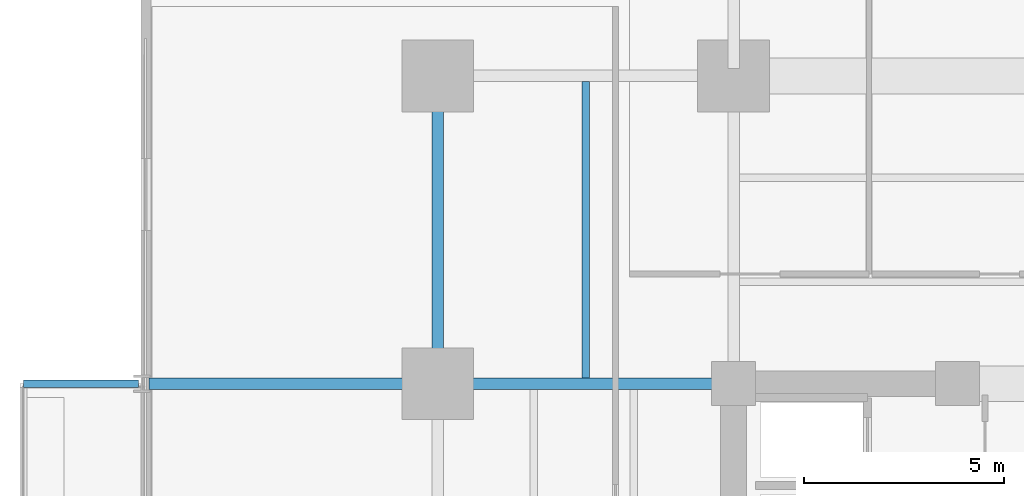
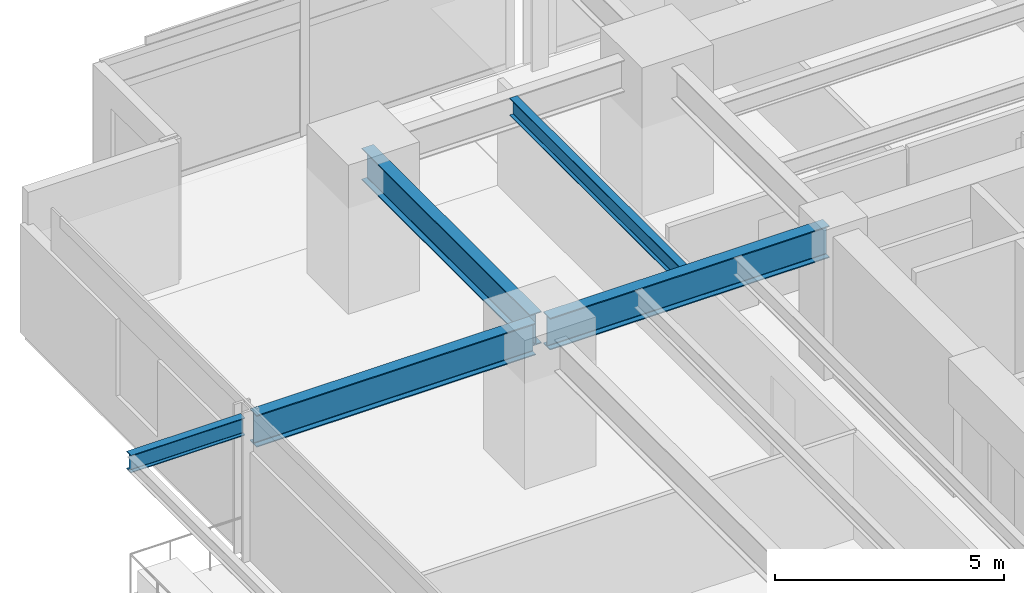
# One storey, part 5 of 23: 5 beams.
"""IFC4 building model written with IfcOpenShell, lengths in metres."""

import ifcopenshell
import ifcopenshell.guid

model = None  # the IFC model being written
_history = None  # IfcOwnerHistory: only IFC2X3 demands one
_inside = {}  # id of a spatial element -> (the spatial element, [elements in it])
_under = {}  # id of a project, library or spatial element -> (it, [spatial elements below it])
_declared = {}  # id of a project -> (the project, [libraries it declares])
_typed = {}  # id of a type object -> (the type object, [elements of that type])
_made_of = {}  # id of a material, layer set ... -> (it, [elements and type objects made of it])


def new_model(schema):
    """Start an empty IFC model of exactly this schema.

    Asked for "IFC4X3", IfcOpenShell would pick the latest addendum, in which some entities
    have other attributes; the version numbers below select the first issue.
    IFC2X3 requires an IfcOwnerHistory on every rooted entity: one is made here for all.
    """
    global model, _history
    if schema == "IFC4X3":
        model = ifcopenshell.file(schema_version=(4, 3, 0, 0))
    else:
        model = ifcopenshell.file(schema=schema)
    _inside.clear()
    _under.clear()
    _declared.clear()
    _typed.clear()
    _made_of.clear()
    _history = None
    if model.schema == "IFC2X3":
        org = make("IfcOrganization", Name="unknown")
        user = make(
            "IfcPersonAndOrganization",
            ThePerson=make("IfcPerson", FamilyName="unknown"),
            TheOrganization=org,
        )
        app = make(
            "IfcApplication",
            ApplicationDeveloper=org,
            Version="unknown",
            ApplicationFullName="unknown",
            ApplicationIdentifier="unknown",
        )
        _history = make(
            "IfcOwnerHistory",
            OwningUser=user,
            OwningApplication=app,
            ChangeAction="ADDED",
            CreationDate=0,
        )
    return model


def make(cls, **values):
    """One entity of the class cls with the attributes given. An attribute that is None is left unset."""
    return model.create_entity(
        cls, **{name: value for name, value in values.items() if value is not None}
    )


def rooted(cls, **values):
    """An entity with a GlobalId (a new one), such as an element, a storey or a relation."""
    return make(cls, GlobalId=ifcopenshell.guid.new(), OwnerHistory=_history, **values)


def si_unit(unit_type, name, prefix=None):
    """IfcSIUnit, for example si_unit("LENGTHUNIT", "METRE", prefix="MILLI")."""
    return make("IfcSIUnit", UnitType=unit_type, Prefix=prefix, Name=name)


def assignment(units):
    """IfcUnitAssignment: the units of a project."""
    return None if units is None else make("IfcUnitAssignment", Units=units)


def point(xyz):
    """IfcCartesianPoint."""
    return None if xyz is None else make("IfcCartesianPoint", Coordinates=xyz)


def direction(xyz):
    """IfcDirection."""
    return None if xyz is None else make("IfcDirection", DirectionRatios=xyz)


def frame(location, z_axis=None, x_axis=None):
    """IfcAxis2Placement3D, a coordinate frame: its origin and axes. An axis left out is left unset."""
    return make(
        "IfcAxis2Placement3D",
        Location=point(location),
        Axis=direction(z_axis),
        RefDirection=direction(x_axis),
    )


def frame_2d(location, x_axis=None):
    """IfcAxis2Placement2D, a coordinate frame in the plane: its origin and x axis."""
    return make(
        "IfcAxis2Placement2D", Location=point(location), RefDirection=direction(x_axis)
    )


def origin():
    """The frame at (0, 0, 0) with its axes left unset."""
    return frame((0.0, 0.0, 0.0))


def origin_2d():
    """The frame at (0, 0) in the plane with its x axis left unset."""
    return frame_2d((0.0, 0.0))


def place(relative_to, where):
    """IfcLocalPlacement: puts the frame where relative to a parent placement (None: the world)."""
    return make(
        "IfcLocalPlacement", PlacementRelTo=relative_to, RelativePlacement=where
    )


def context(
    kind, dimensions, precision=None, world=None, true_north=None, identifier=None
):
    """IfcGeometricRepresentationContext, for example the 3D "Model" context."""
    return make(
        "IfcGeometricRepresentationContext",
        ContextIdentifier=identifier,
        ContextType=kind,
        CoordinateSpaceDimension=dimensions,
        Precision=precision,
        WorldCoordinateSystem=world,
        TrueNorth=true_north,
    )


def subcontext(parent, identifier, kind, view, scale=None):
    """IfcGeometricRepresentationSubContext, for example "Body" below "Model"."""
    return make(
        "IfcGeometricRepresentationSubContext",
        ContextIdentifier=identifier,
        ContextType=kind,
        ParentContext=parent,
        TargetScale=scale,
        TargetView=view,
    )


def project(units=None, contexts=None):
    """IfcProject with its units and contexts."""
    return rooted(
        "IfcProject",
        Name="project",
        RepresentationContexts=contexts,
        UnitsInContext=assignment(units),
    )


def spatial(cls, under=None, at=None, **own):
    """A site, building, storey or space (cls), placed at a placement, below another one or the project."""
    s = rooted(cls, ObjectPlacement=at, **own)
    if under is not None:
        _under.setdefault(under.id(), (under, []))[1].append(s)
    return s


def profile(cls, at=None, kind="AREA", **sizes):
    """A parametric profile (cls). Its sizes go by their IFC names, for example OverallWidth=200.0."""
    return make(cls, ProfileType=kind, Position=at, **sizes)


def i_section(**sizes):
    """IfcIShapeProfileDef."""
    return profile("IfcIShapeProfileDef", **sizes)


def extrude(swept, where, along, depth):
    """IfcExtrudedAreaSolid: the profile swept, set in the frame where, extruded along a direction by depth."""
    return make(
        "IfcExtrudedAreaSolid",
        SweptArea=swept,
        Position=where,
        ExtrudedDirection=direction(along),
        Depth=depth,
    )


def shape(context_of_items, identifier, shape_type, items):
    """IfcShapeRepresentation: the items that make up one representation, for example the "Body"."""
    return make(
        "IfcShapeRepresentation",
        ContextOfItems=context_of_items,
        RepresentationIdentifier=identifier,
        RepresentationType=shape_type,
        Items=items,
    )


def material(Name=None, Category=None):
    """IfcMaterial."""
    return make("IfcMaterial", Name=Name, Category=Category)


def material_profile(
    of_material, cross_section, Name=None, Category=None, Priority=None
):
    """IfcMaterialProfile: a cross section and its material."""
    return make(
        "IfcMaterialProfile",
        Name=Name,
        Material=of_material,
        Profile=cross_section,
        Priority=Priority,
        Category=Category,
    )


def profile_set(profiles, Name=None, composite=None):
    """IfcMaterialProfileSet."""
    return make(
        "IfcMaterialProfileSet",
        Name=Name,
        MaterialProfiles=profiles,
        CompositeProfile=composite,
    )


def made_of(thing, what):
    """Note that an element or type object is made of a material, layer set ...; save() writes the relation."""
    if what is not None:
        _made_of.setdefault(what.id(), (what, []))[1].append(thing)
    return thing


def type_object(cls, material=None, **own):
    """A type object (cls), such as IfcWallType, which elements share."""
    return made_of(rooted(cls, **own), material)


def element(
    cls,
    number,
    at=None,
    inside=None,
    cuts=None,
    type_object=None,
    material=None,
    context=None,
    identifier="Body",
    shape_type=None,
    held_by="IfcProductDefinitionShape",
    body=None,
    shapes=None,
    **own,
):
    """One element of the class cls, such as IfcWall. Its Tag is "e" and its number.

    at: its placement. inside: the storey or other place that contains it. cuts: it is an
    opening in that element (IfcRelVoidsElement). A single representation is given by context,
    identifier, shape_type and body (its items); several are given by shapes. held_by: the class
    of the entity that holds the representations. save() writes the other relations.
    """
    e = rooted(cls, Tag="e%d" % number, ObjectPlacement=at, **own)
    if body is not None:
        shapes = [shape(context, identifier, shape_type, body)]
    if shapes is not None:
        e.Representation = make(held_by, Representations=shapes)
    if inside is not None:
        _inside.setdefault(inside.id(), (inside, []))[1].append(e)
    if cuts is not None:
        rooted(
            "IfcRelVoidsElement", RelatingBuildingElement=cuts, RelatedOpeningElement=e
        )
    if type_object is not None:
        _typed.setdefault(type_object.id(), (type_object, []))[1].append(e)
    return made_of(e, material)


def aggregate(whole, parts):
    """IfcRelAggregates: a whole, such as a stair, and the parts it consists of."""
    return rooted("IfcRelAggregates", RelatingObject=whole, RelatedObjects=parts)


def save(model, path):
    """Write the relations noted so far, then the file.

    IfcRelAggregates (storeys below a building ...), IfcRelContainedInSpatialStructure (elements
    in a storey), IfcRelDefinesByType, IfcRelAssociatesMaterial and IfcRelDeclares: one each for
    every whole, place, type object, material and project.
    """
    for whole, parts in _under.values():
        aggregate(whole, parts)
    for where, things in _inside.values():
        rooted(
            "IfcRelContainedInSpatialStructure",
            RelatedElements=things,
            RelatingStructure=where,
        )
    for kind, things in _typed.values():
        rooted("IfcRelDefinesByType", RelatedObjects=things, RelatingType=kind)
    for what, things in _made_of.values():
        rooted("IfcRelAssociatesMaterial", RelatedObjects=things, RelatingMaterial=what)
    for by, libraries in _declared.values():
        rooted("IfcRelDeclares", RelatingContext=by, RelatedDefinitions=libraries)
    model.write(path)


model = new_model("IFC4")

# Units and contexts
model_context = context("Model", 3, precision=1e-05, world=origin(), true_north=direction((0.0, 1.0)))
body_context = subcontext(model_context, "Body", "Model", "MODEL_VIEW")
ifc_project = project(units=[si_unit("LENGTHUNIT", "METRE"), si_unit("AREAUNIT", "SQUARE_METRE"), si_unit("VOLUMEUNIT", "CUBIC_METRE"), si_unit("PLANEANGLEUNIT", "RADIAN"), si_unit("MASSUNIT", "GRAM", prefix="KILO")], contexts=[model_context])

# Site, building, storey
site_placement = place(None, origin())
site = spatial("IfcSite", under=ifc_project, at=site_placement, CompositionType="ELEMENT")
building_placement = place(site_placement, origin())
building = spatial("IfcBuilding", under=site, at=building_placement, Name="Kovane Verandah Tower", CompositionType="ELEMENT")
storey_placement = place(building_placement, frame((0.0, 0.0, 55.60009765625)))
storey = spatial("IfcBuildingStorey", under=building, at=storey_placement, Name="L12", CompositionType="ELEMENT", Elevation=55.60009765625)

# Beams
ifc_material = material(Name="Steel S355", Category="steel")
ifc_material_profile_1 = material_profile(ifc_material, i_section(OverallWidth=0.293701171875, OverallDepth=0.850830078125, WebThickness=0.01611328125, FlangeThickness=0.02685546875, FilletRadius=0.017822265625, at=origin_2d()), Name="UB838x292x226")
ifc_profile_set_1 = profile_set([ifc_material_profile_1], Name="Steel S355")
beam_type_1 = type_object("IfcBeamType", Name="BM-UB838x226", PredefinedType="BEAM", material=ifc_profile_set_1)
beam_1_placement = place(storey_placement, frame((21.60009765625, 36.679931640625, 3.33447265625), z_axis=(0.0, 1.0, 0.0), x_axis=(-1.0, 0.0, 0.0)))
element("IfcBeam", 1, at=beam_1_placement, inside=storey, type_object=beam_type_1, Name="L12 Primary Tower Girder G-RW3", PredefinedType="BEAM", context=body_context, shape_type="SweptSolid", body=[
    extrude(i_section(OverallWidth=0.293701171875, OverallDepth=0.850830078125, WebThickness=0.01611328125, FlangeThickness=0.02685546875, FilletRadius=0.017822265625, at=origin_2d()), origin(), (0.0, 0.0, 1.0), 7.340087890625),
])
for number, where, z_axis, x_axis, name in (
    (2, (28.820068359375, 36.5, 3.33447265625), (-1.0, 0.0, 0.0), (0.0, -1.0, 0.0), "L12 Primary Tower Girder G-W2"),
    (3, (21.419921875, 36.5, 3.33447265625), (-1.0, 0.0, 0.0), (0.0, -1.0, 0.0), "L12 Primary Tower Girder G-VW2"),
):
    element("IfcBeam", number, at=place(storey_placement, frame(where, z_axis=z_axis, x_axis=x_axis)), inside=storey, type_object=beam_type_1, Name=name, PredefinedType="BEAM", context=body_context, shape_type="SweptSolid", body=[
        extrude(i_section(OverallWidth=0.293701171875, OverallDepth=0.850830078125, WebThickness=0.01611328125, FlangeThickness=0.02685546875, FilletRadius=0.017822265625, at=origin_2d()), origin(), (0.0, 0.0, 1.0), 7.0400390625),
    ])
ifc_material_profile_2 = material_profile(ifc_material, i_section(OverallWidth=0.19287109375, OverallDepth=0.46728515625, WebThickness=0.011474609375, FlangeThickness=0.01953125, FilletRadius=0.01025390625, at=origin_2d()), Name="UB457x191x98")
ifc_profile_set_2 = profile_set([ifc_material_profile_2], Name="Steel S355")
beam_type_2 = type_object("IfcBeamType", Name="JST-UB457x98", PredefinedType="JOIST", material=ifc_profile_set_2)
beam_2_placement = place(storey_placement, frame((25.300048828125, 36.64501953125, 3.5263671875), z_axis=(0.0, 1.0, 0.0), x_axis=(-1.0, 0.0, 0.0)))
element("IfcBeam", 4, at=beam_2_placement, inside=storey, type_object=beam_type_2, Name="L12 Secondary Composite Joist J-NW1", PredefinedType="JOIST", context=body_context, shape_type="SweptSolid", body=[
    extrude(i_section(OverallWidth=0.19287109375, OverallDepth=0.46728515625, WebThickness=0.011474609375, FlangeThickness=0.01953125, FilletRadius=0.01025390625, at=origin_2d()), origin(), (0.0, 0.0, 1.0), 7.41015625),
])
beam_3_placement = place(storey_placement, frame((14.1201171875, 36.5, 3.5263671875), z_axis=(-1.0, 0.0, 0.0), x_axis=(0.0, -1.0, 0.0)))
element("IfcBeam", 5, at=beam_3_placement, inside=storey, type_object=beam_type_2, Name="L12 West Planter Girder 2", PredefinedType="JOIST", context=body_context, shape_type="SweptSolid", body=[
    extrude(i_section(OverallWidth=0.19287109375, OverallDepth=0.46728515625, WebThickness=0.011474609375, FlangeThickness=0.01953125, FilletRadius=0.01025390625, at=origin_2d()), origin(), (0.0, 0.0, 1.0), 2.875244140625),
])

save(model, "model.ifc")
